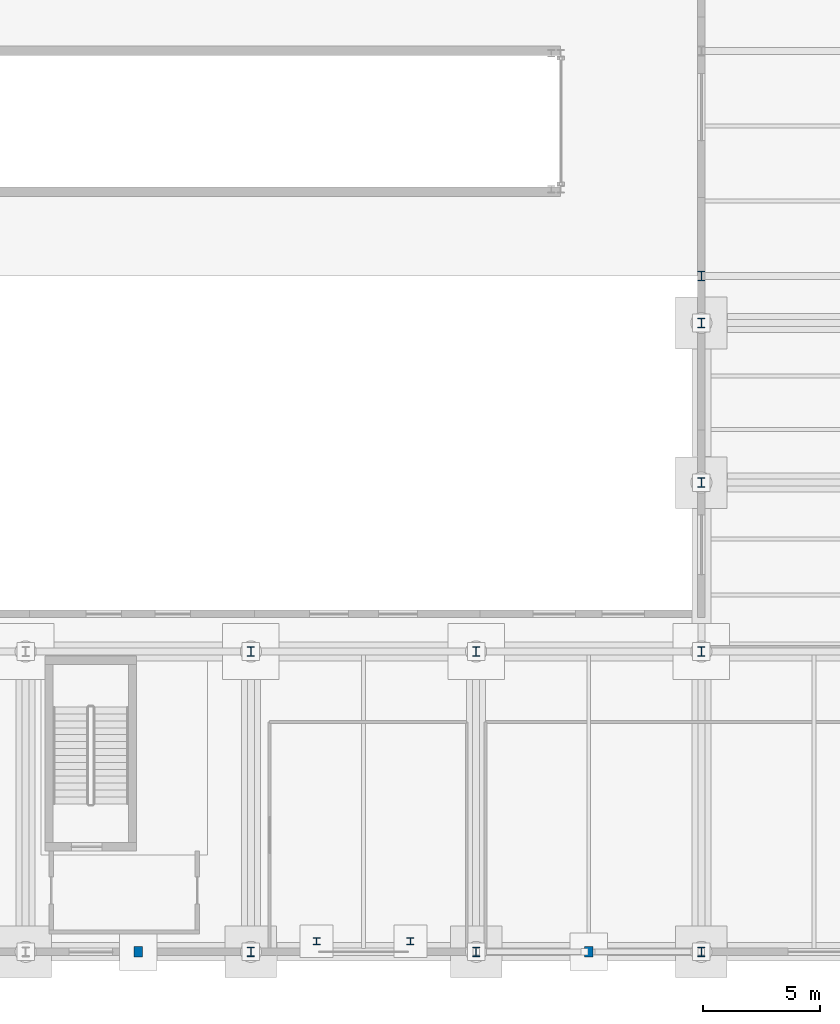
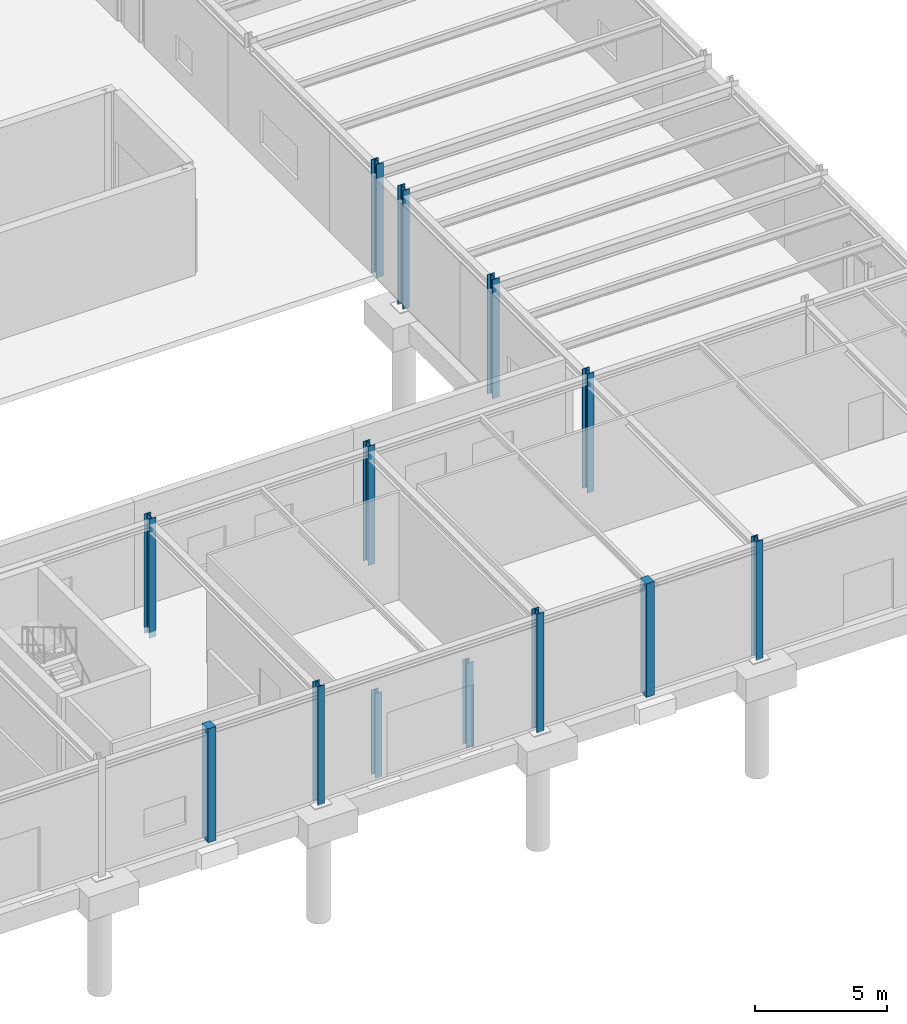
# One storey, part 8 of 109: 13 columns.
"""IFC4 building model written with IfcOpenShell, lengths in metres."""

import ifcopenshell
import ifcopenshell.guid

model = None  # the IFC model being written
_history = None  # IfcOwnerHistory: only IFC2X3 demands one
_inside = {}  # id of a spatial element -> (the spatial element, [elements in it])
_under = {}  # id of a project, library or spatial element -> (it, [spatial elements below it])
_declared = {}  # id of a project -> (the project, [libraries it declares])
_typed = {}  # id of a type object -> (the type object, [elements of that type])
_made_of = {}  # id of a material, layer set ... -> (it, [elements and type objects made of it])


def new_model(schema):
    """Start an empty IFC model of exactly this schema.

    Asked for "IFC4X3", IfcOpenShell would pick the latest addendum, in which some entities
    have other attributes; the version numbers below select the first issue.
    IFC2X3 requires an IfcOwnerHistory on every rooted entity: one is made here for all.
    """
    global model, _history
    if schema == "IFC4X3":
        model = ifcopenshell.file(schema_version=(4, 3, 0, 0))
    else:
        model = ifcopenshell.file(schema=schema)
    _inside.clear()
    _under.clear()
    _declared.clear()
    _typed.clear()
    _made_of.clear()
    _history = None
    if model.schema == "IFC2X3":
        org = make("IfcOrganization", Name="unknown")
        user = make(
            "IfcPersonAndOrganization",
            ThePerson=make("IfcPerson", FamilyName="unknown"),
            TheOrganization=org,
        )
        app = make(
            "IfcApplication",
            ApplicationDeveloper=org,
            Version="unknown",
            ApplicationFullName="unknown",
            ApplicationIdentifier="unknown",
        )
        _history = make(
            "IfcOwnerHistory",
            OwningUser=user,
            OwningApplication=app,
            ChangeAction="ADDED",
            CreationDate=0,
        )
    return model


def make(cls, **values):
    """One entity of the class cls with the attributes given. An attribute that is None is left unset."""
    return model.create_entity(
        cls, **{name: value for name, value in values.items() if value is not None}
    )


def rooted(cls, **values):
    """An entity with a GlobalId (a new one), such as an element, a storey or a relation."""
    return make(cls, GlobalId=ifcopenshell.guid.new(), OwnerHistory=_history, **values)


def si_unit(unit_type, name, prefix=None):
    """IfcSIUnit, for example si_unit("LENGTHUNIT", "METRE", prefix="MILLI")."""
    return make("IfcSIUnit", UnitType=unit_type, Prefix=prefix, Name=name)


def assignment(units):
    """IfcUnitAssignment: the units of a project."""
    return None if units is None else make("IfcUnitAssignment", Units=units)


def point(xyz):
    """IfcCartesianPoint."""
    return None if xyz is None else make("IfcCartesianPoint", Coordinates=xyz)


def direction(xyz):
    """IfcDirection."""
    return None if xyz is None else make("IfcDirection", DirectionRatios=xyz)


def frame(location, z_axis=None, x_axis=None):
    """IfcAxis2Placement3D, a coordinate frame: its origin and axes. An axis left out is left unset."""
    return make(
        "IfcAxis2Placement3D",
        Location=point(location),
        Axis=direction(z_axis),
        RefDirection=direction(x_axis),
    )


def frame_2d(location, x_axis=None):
    """IfcAxis2Placement2D, a coordinate frame in the plane: its origin and x axis."""
    return make(
        "IfcAxis2Placement2D", Location=point(location), RefDirection=direction(x_axis)
    )


def origin():
    """The frame at (0, 0, 0) with its axes left unset."""
    return frame((0.0, 0.0, 0.0))


def origin_2d():
    """The frame at (0, 0) in the plane with its x axis left unset."""
    return frame_2d((0.0, 0.0))


def place(relative_to, where):
    """IfcLocalPlacement: puts the frame where relative to a parent placement (None: the world)."""
    return make(
        "IfcLocalPlacement", PlacementRelTo=relative_to, RelativePlacement=where
    )


def context(
    kind, dimensions, precision=None, world=None, true_north=None, identifier=None
):
    """IfcGeometricRepresentationContext, for example the 3D "Model" context."""
    return make(
        "IfcGeometricRepresentationContext",
        ContextIdentifier=identifier,
        ContextType=kind,
        CoordinateSpaceDimension=dimensions,
        Precision=precision,
        WorldCoordinateSystem=world,
        TrueNorth=true_north,
    )


def subcontext(parent, identifier, kind, view, scale=None):
    """IfcGeometricRepresentationSubContext, for example "Body" below "Model"."""
    return make(
        "IfcGeometricRepresentationSubContext",
        ContextIdentifier=identifier,
        ContextType=kind,
        ParentContext=parent,
        TargetScale=scale,
        TargetView=view,
    )


def project(units=None, contexts=None):
    """IfcProject with its units and contexts."""
    return rooted(
        "IfcProject",
        Name="project",
        RepresentationContexts=contexts,
        UnitsInContext=assignment(units),
    )


def spatial(cls, under=None, at=None, **own):
    """A site, building, storey or space (cls), placed at a placement, below another one or the project."""
    s = rooted(cls, ObjectPlacement=at, **own)
    if under is not None:
        _under.setdefault(under.id(), (under, []))[1].append(s)
    return s


def profile(cls, at=None, kind="AREA", **sizes):
    """A parametric profile (cls). Its sizes go by their IFC names, for example OverallWidth=200.0."""
    return make(cls, ProfileType=kind, Position=at, **sizes)


def rectangle(**sizes):
    """IfcRectangleProfileDef."""
    return profile("IfcRectangleProfileDef", **sizes)


def i_section(**sizes):
    """IfcIShapeProfileDef."""
    return profile("IfcIShapeProfileDef", **sizes)


def extrude(swept, where, along, depth):
    """IfcExtrudedAreaSolid: the profile swept, set in the frame where, extruded along a direction by depth."""
    return make(
        "IfcExtrudedAreaSolid",
        SweptArea=swept,
        Position=where,
        ExtrudedDirection=direction(along),
        Depth=depth,
    )


def shape(context_of_items, identifier, shape_type, items):
    """IfcShapeRepresentation: the items that make up one representation, for example the "Body"."""
    return make(
        "IfcShapeRepresentation",
        ContextOfItems=context_of_items,
        RepresentationIdentifier=identifier,
        RepresentationType=shape_type,
        Items=items,
    )


def material(Name=None, Category=None):
    """IfcMaterial."""
    return make("IfcMaterial", Name=Name, Category=Category)


def material_profile(
    of_material, cross_section, Name=None, Category=None, Priority=None
):
    """IfcMaterialProfile: a cross section and its material."""
    return make(
        "IfcMaterialProfile",
        Name=Name,
        Material=of_material,
        Profile=cross_section,
        Priority=Priority,
        Category=Category,
    )


def profile_set(profiles, Name=None, composite=None):
    """IfcMaterialProfileSet."""
    return make(
        "IfcMaterialProfileSet",
        Name=Name,
        MaterialProfiles=profiles,
        CompositeProfile=composite,
    )


def made_of(thing, what):
    """Note that an element or type object is made of a material, layer set ...; save() writes the relation."""
    if what is not None:
        _made_of.setdefault(what.id(), (what, []))[1].append(thing)
    return thing


def type_object(cls, material=None, **own):
    """A type object (cls), such as IfcWallType, which elements share."""
    return made_of(rooted(cls, **own), material)


def element(
    cls,
    number,
    at=None,
    inside=None,
    cuts=None,
    type_object=None,
    material=None,
    context=None,
    identifier="Body",
    shape_type=None,
    held_by="IfcProductDefinitionShape",
    body=None,
    shapes=None,
    **own,
):
    """One element of the class cls, such as IfcWall. Its Tag is "e" and its number.

    at: its placement. inside: the storey or other place that contains it. cuts: it is an
    opening in that element (IfcRelVoidsElement). A single representation is given by context,
    identifier, shape_type and body (its items); several are given by shapes. held_by: the class
    of the entity that holds the representations. save() writes the other relations.
    """
    e = rooted(cls, Tag="e%d" % number, ObjectPlacement=at, **own)
    if body is not None:
        shapes = [shape(context, identifier, shape_type, body)]
    if shapes is not None:
        e.Representation = make(held_by, Representations=shapes)
    if inside is not None:
        _inside.setdefault(inside.id(), (inside, []))[1].append(e)
    if cuts is not None:
        rooted(
            "IfcRelVoidsElement", RelatingBuildingElement=cuts, RelatedOpeningElement=e
        )
    if type_object is not None:
        _typed.setdefault(type_object.id(), (type_object, []))[1].append(e)
    return made_of(e, material)


def aggregate(whole, parts):
    """IfcRelAggregates: a whole, such as a stair, and the parts it consists of."""
    return rooted("IfcRelAggregates", RelatingObject=whole, RelatedObjects=parts)


def save(model, path):
    """Write the relations noted so far, then the file.

    IfcRelAggregates (storeys below a building ...), IfcRelContainedInSpatialStructure (elements
    in a storey), IfcRelDefinesByType, IfcRelAssociatesMaterial and IfcRelDeclares: one each for
    every whole, place, type object, material and project.
    """
    for whole, parts in _under.values():
        aggregate(whole, parts)
    for where, things in _inside.values():
        rooted(
            "IfcRelContainedInSpatialStructure",
            RelatedElements=things,
            RelatingStructure=where,
        )
    for kind, things in _typed.values():
        rooted("IfcRelDefinesByType", RelatedObjects=things, RelatingType=kind)
    for what, things in _made_of.values():
        rooted("IfcRelAssociatesMaterial", RelatedObjects=things, RelatingMaterial=what)
    for by, libraries in _declared.values():
        rooted("IfcRelDeclares", RelatingContext=by, RelatedDefinitions=libraries)
    model.write(path)


model = new_model("IFC4")

# Units and contexts
model_context = context("Model", 3, precision=1e-05, world=origin(), true_north=direction((0.0, 1.0)))
body_context = subcontext(model_context, "Body", "Model", "MODEL_VIEW")
ifc_project = project(units=[si_unit("LENGTHUNIT", "METRE"), si_unit("AREAUNIT", "SQUARE_METRE"), si_unit("VOLUMEUNIT", "CUBIC_METRE"), si_unit("PLANEANGLEUNIT", "RADIAN"), si_unit("MASSUNIT", "GRAM", prefix="KILO")], contexts=[model_context])

# Site, building, storey
site_placement = place(None, origin())
site = spatial("IfcSite", under=ifc_project, at=site_placement, CompositionType="ELEMENT")
building_placement = place(site_placement, origin())
building = spatial("IfcBuilding", under=site, at=building_placement, Name="Nordkorset Police Headquarters", CompositionType="ELEMENT")
storey_placement = place(building_placement, origin())
storey = spatial("IfcBuildingStorey", under=building, at=storey_placement, Name="L00", CompositionType="ELEMENT", Elevation=0.0)

# Columns
ifc_material_1 = material(Name="Steel S355J2", Category="steel")
ifc_material_profile_1 = material_profile(ifc_material_1, i_section(OverallWidth=0.300048828125, OverallDepth=0.300048828125, WebThickness=0.010986328125, FlangeThickness=0.01904296875, FilletRadius=0.027099609375, at=origin_2d()), Name="HEB 300")
ifc_profile_set_1 = profile_set([ifc_material_profile_1], Name="Steel S355J2")
column_type_1 = type_object("IfcColumnType", Name="Col_HEB_300", PredefinedType="COLUMN", material=ifc_profile_set_1)
for number, where, z_axis, x_axis, name in (
    (1, (70.0, 0.449951171875, -0.27001953125), (0.0, 0.0, 1.0), (1.0, 0.0, 0.0), "Portal Jamb Post LNT-VG05-0"),
    (2, (74.0, 0.449951171875, -0.27001953125), (0.0, 0.0, 1.0), (1.0, 0.0, 0.0), "Portal Jamb Post LNT-VG05-1"),
):
    element("IfcColumn", number, at=place(storey_placement, frame(where, z_axis=z_axis, x_axis=x_axis)), inside=storey, type_object=column_type_1, Name=name, PredefinedType="COLUMN", context=body_context, shape_type="SweptSolid", body=[
        extrude(i_section(OverallWidth=0.300048828125, OverallDepth=0.300048828125, WebThickness=0.010986328125, FlangeThickness=0.01904296875, FilletRadius=0.027099609375, at=origin_2d()), origin(), (0.0, 0.0, 1.0), 3.919921875),
    ])
ifc_material_2 = material(Name="Steel S355J2", Category="steel")
ifc_material_profile_2 = material_profile(ifc_material_2, i_section(OverallWidth=0.300048828125, OverallDepth=0.39990234375, WebThickness=0.013427734375, FlangeThickness=0.02392578125, FilletRadius=0.027099609375, at=origin_2d()), Name="HEB 400")
ifc_profile_set_2 = profile_set([ifc_material_profile_2], Name="Steel S355J2")
column_type_2 = type_object("IfcColumnType", Name="Col_HEB_400", PredefinedType="COLUMN", material=ifc_profile_set_2)
for number, where, z_axis, x_axis, name in (
    (3, (67.199951171875, 0.0, -0.27001953125), (0.0, 0.0, 1.0), (1.0, 0.0, 0.0), "Structural Column V7_S0_7 L00"),
    (4, (67.199951171875, 12.800048828125, -0.27001953125), (0.0, 0.0, 1.0), (1.0, 0.0, 0.0), "Structural Column V7_S1_7 L00"),
    (5, (76.800048828125, 0.0, -0.27001953125), (0.0, 0.0, 1.0), (1.0, 0.0, 0.0), "Structural Column V7_S0_8 L00"),
    (6, (76.800048828125, 12.800048828125, -0.27001953125), (0.0, 0.0, 1.0), (1.0, 0.0, 0.0), "Structural Column V7_S1_8 L00"),
    (7, (86.39990234375, 0.0, -0.27001953125), (0.0, 0.0, 1.0), (1.0, 0.0, 0.0), "Structural Column V7_S0_9 L00"),
    (8, (86.39990234375, 12.800048828125, -0.27001953125), (0.0, 0.0, 1.0), (1.0, 0.0, 0.0), "Structural Column V7_S1_9 L00"),
    (9, (86.39990234375, 20.0, -0.27001953125), (0.0, 0.0, 1.0), (1.0, 0.0, 0.0), "Structural Column V7_EC_0_200 L00"),
    (10, (86.39990234375, 26.800048828125, -0.27001953125), (0.0, 0.0, 1.0), (1.0, 0.0, 0.0), "Structural Column V7_EC_0_268 L00"),
):
    element("IfcColumn", number, at=place(storey_placement, frame(where, z_axis=z_axis, x_axis=x_axis)), inside=storey, type_object=column_type_2, Name=name, PredefinedType="COLUMN", context=body_context, shape_type="SweptSolid", body=[
        extrude(i_section(OverallWidth=0.300048828125, OverallDepth=0.39990234375, WebThickness=0.013427734375, FlangeThickness=0.02392578125, FilletRadius=0.027099609375, at=origin_2d()), origin(), (0.0, 0.0, 1.0), 5.52001953125),
    ])
column_placement = place(storey_placement, frame((86.39990234375, 28.800048828125, 0.0), z_axis=(0.0, 0.0, 1.0), x_axis=(1.0, 0.0, 0.0)))
element("IfcColumn", 11, at=column_placement, inside=storey, type_object=column_type_2, Name="Structural Column V7_EC_0_288 L00", PredefinedType="COLUMN", context=body_context, shape_type="SweptSolid", body=[
    extrude(i_section(OverallWidth=0.300048828125, OverallDepth=0.39990234375, WebThickness=0.013427734375, FlangeThickness=0.02392578125, FilletRadius=0.027099609375, at=origin_2d()), origin(), (0.0, 0.0, 1.0), 5.25),
])
ifc_material_3 = material(Name="Concrete C45/55", Category="concrete")
ifc_material_profile_3 = material_profile(ifc_material_3, rectangle(XDim=0.35009765625, YDim=0.449951171875, at=origin_2d()), Name="RC 450x350")
ifc_profile_set_3 = profile_set([ifc_material_profile_3], Name="Concrete C45/55")
column_type_3 = type_object("IfcColumnType", Name="Pilaster_RC_450x350", PredefinedType="PILASTER", material=ifc_profile_set_3)
for number, where, z_axis, x_axis, name in (
    (12, (62.39990234375, 0.0, -0.27001953125), (0.0, 0.0, 1.0), (1.0, 0.0, 0.0), "Perimeter Pilaster 05 L00"),
    (13, (81.60009765625, 0.0, -0.27001953125), (0.0, 0.0, 1.0), (1.0, 0.0, 0.0), "Perimeter Pilaster 06 L00"),
):
    element("IfcColumn", number, at=place(storey_placement, frame(where, z_axis=z_axis, x_axis=x_axis)), inside=storey, type_object=column_type_3, Name=name, PredefinedType="PILASTER", context=body_context, shape_type="SweptSolid", body=[
        extrude(rectangle(XDim=0.35009765625, YDim=0.449951171875, at=origin_2d()), origin(), (0.0, 0.0, 1.0), 5.27001953125),
    ])

save(model, "model.ifc")
